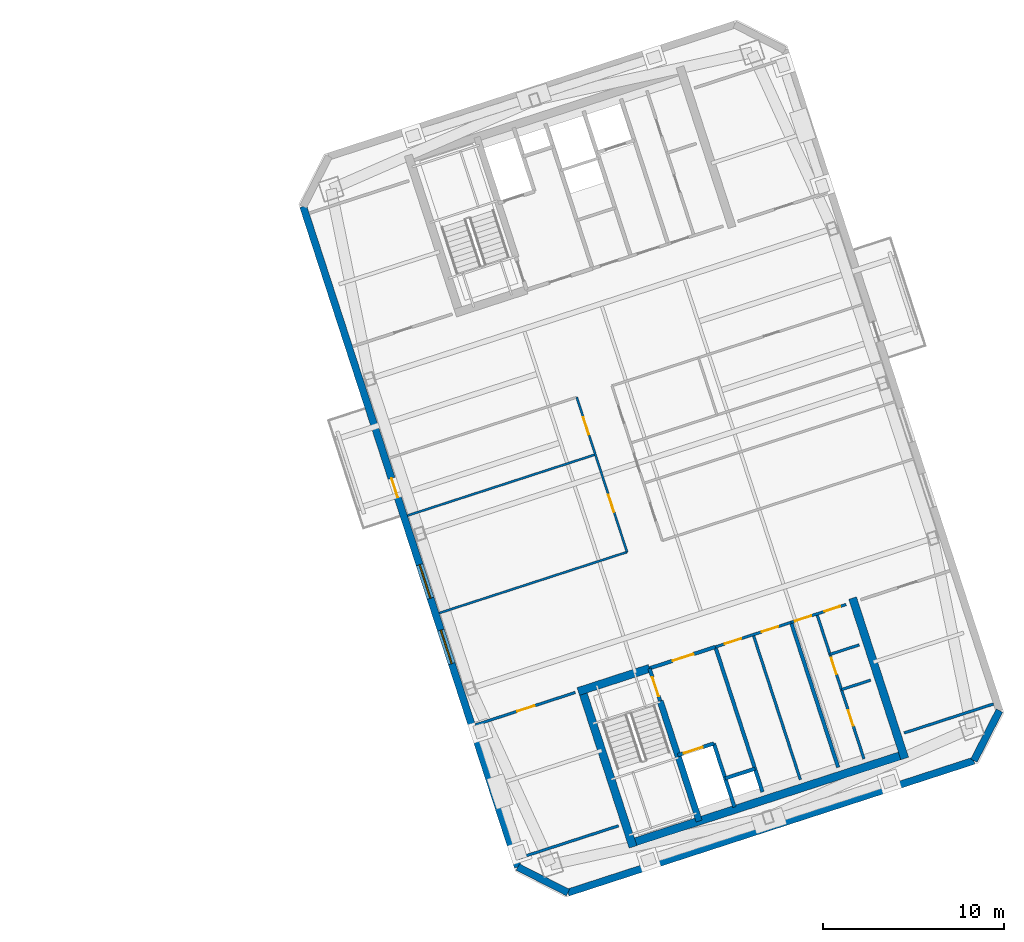
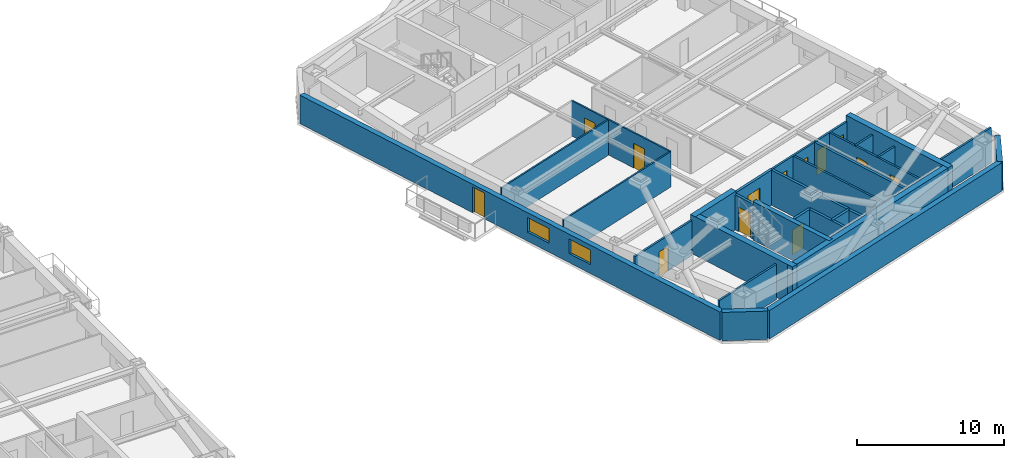
# One storey, part 9 of 16: 28 walls, 13 doors, 2 windows, 15 openings.
"""IFC4 building model written with IfcOpenShell, lengths in metres."""

from ifc_helpers import new_model, si_unit, direction, frame, frame_2d, origin, place, context, subcontext, project, spatial, rectangle, extrude, material, layer, layer_set, type_object, element, fill, save


model = new_model("IFC4")

# Units and contexts
model_context = context("Model", 3, precision=1e-05, world=origin(), true_north=direction((0.0, 1.0)))
body_context = subcontext(model_context, "Body", "Model", "MODEL_VIEW")
ifc_project = project(units=[si_unit("LENGTHUNIT", "METRE"), si_unit("AREAUNIT", "SQUARE_METRE"), si_unit("VOLUMEUNIT", "CUBIC_METRE"), si_unit("PLANEANGLEUNIT", "RADIAN"), si_unit("MASSUNIT", "GRAM", prefix="KILO")], contexts=[model_context])

# Site, building, storey
site_placement = place(None, origin())
site = spatial("IfcSite", under=ifc_project, at=site_placement, CompositionType="ELEMENT")
building_placement = place(site_placement, origin())
building = spatial("IfcBuilding", under=site, at=building_placement, Name="Qiaolan Cultural Towers", CompositionType="ELEMENT")
storey_placement = place(building_placement, frame((0.0, 0.0, 240.800048828125)))
storey = spatial("IfcBuildingStorey", under=building, at=storey_placement, Name="L65", CompositionType="ELEMENT", Elevation=240.800048828125)

# Walls
ifc_material_1 = material(Name="Concrete C50", Category="concrete")
ifc_layer_1 = layer(ifc_material_1, 0.35009765625)
ifc_layer_set_1 = layer_set([ifc_layer_1], Name="Concrete C50")
wall_type_1 = type_object("IfcWallType", Name="WL-CORE-350", PredefinedType="SHEAR", material=ifc_layer_set_1)
wall_1_placement = place(storey_placement, frame((90.486328125, 20.59423828125, 0.0), z_axis=(0.0, 0.0, 1.0), x_axis=(0.309020428229, -0.951055400562, 0.0)))
element("IfcWall", 1, at=wall_1_placement, inside=storey, type_object=wall_type_1, Name="L65 T2-CS Stair Core Dividing Web", PredefinedType="SHEAR", context=body_context, shape_type="SweptSolid", body=[
    extrude(rectangle(XDim=6.97998046875, YDim=0.35009765625, at=frame_2d((3.489990234375, 0.0))), origin(), (0.0, 0.0, 1.0), 3.199951171875),
])
ifc_material_2 = material(Name="Concrete C50", Category="concrete")
ifc_layer_2 = layer(ifc_material_2, 0.449951171875)
ifc_layer_set_2 = layer_set([ifc_layer_2], Name="Concrete C50")
wall_type_2 = type_object("IfcWallType", Name="WL-CORE-450", PredefinedType="SHEAR", material=ifc_layer_set_2)
wall_2_placement = place(storey_placement, frame((88.701171875, 12.675048828125, 0.0), z_axis=(0.0, 0.0, 1.0), x_axis=(0.95105824505, 0.309011673763, 0.0)))
element("IfcWall", 2, at=wall_2_placement, inside=storey, type_object=wall_type_2, Name="L65 T2-CS Outer Core Shear Wall", PredefinedType="SHEAR", context=body_context, shape_type="SweptSolid", body=[
    extrude(rectangle(XDim=16.250244140625, YDim=0.449951171875, at=frame_2d((8.125, 0.0))), origin(), (0.0, 0.0, 1.0), 3.199951171875),
])
for number, where, z_axis, x_axis, name in (
    (3, (86.1015625, 21.40380859375, 0.0), (0.0, 0.0, 1.0), (0.309035778627, -0.951050412717, 0.0), "L65 T2-CS West Core Shear Wall"),
    (4, (101.12841796875, 26.286376953125, 0.0), (0.0, 0.0, 1.0), (0.309004419953, -0.951060601881, 0.0), "L65 T2-CS East Core Shear Wall"),
):
    element("IfcWall", number, at=place(storey_placement, frame(where, z_axis=z_axis, x_axis=x_axis)), inside=storey, type_object=wall_type_2, Name=name, PredefinedType="SHEAR", context=body_context, shape_type="SweptSolid", body=[
        extrude(rectangle(XDim=9.330078125, YDim=0.449951171875, at=frame_2d((4.6650390625, 0.0))), origin(), (0.0, 0.0, 1.0), 3.199951171875),
    ])
wall_3_placement = place(storey_placement, frame((85.957275390625, 21.120361328125, 0.0), z_axis=(0.0, 0.0, 1.0), x_axis=(0.951064796122, 0.308991510526, 0.0)))
element("IfcWall", 5, at=wall_3_placement, inside=storey, type_object=wall_type_2, Name="L65 T2-CS Stair Front Shear Wall", PredefinedType="SHEAR", context=body_context, shape_type="SweptSolid", body=[
    extrude(rectangle(XDim=4.14501953125, YDim=0.449951171875, at=frame_2d((2.072509765625, 0.0))), origin(), (0.0, 0.0, 1.0), 3.199951171875),
])

# Wall, openings, door, windows
ifc_material_3 = material(Name="Precast Concrete C50 Honed Stone Pier", Category="masonry")
ifc_layer_3 = layer(ifc_material_3, 0.39990234375)
ifc_layer_set_3 = layer_set([ifc_layer_3], Name="Precast Concrete C50 Honed Stone Pier")
wall_type_3 = type_object("IfcWallType", Name="WL-EXT-PIER-400", PredefinedType="SOLIDWALL", material=ifc_layer_set_3)
wall_4_placement = place(storey_placement, frame((82.618408203125, 11.41357421875, 0.0), z_axis=(0.0, 0.0, 1.0), x_axis=(-0.309016491071, 0.951056679828, 0.0)))
wall_4 = element("IfcWall", 6, at=wall_4_placement, inside=storey, type_object=wall_type_3, Name="L65 East Tower Precast Pier Facade Wall F1", PredefinedType="SOLIDWALL", context=body_context, shape_type="SweptSolid", body=[
    extrude(rectangle(XDim=38.39990234375, YDim=0.39990234375, at=frame_2d((19.199951171875, 0.0))), origin(), (0.0, 0.0, 1.0), 2.35986328125),
])
opening_1_placement = place(wall_4_placement, frame((11.824951171875, 0.0, 0.75)))
opening_1 = element("IfcOpeningElement", 7, at=opening_1_placement, cuts=wall_4, Name="Opening W-06", PredefinedType="OPENING", context=body_context, shape_type="SweptSolid", body=[
    extrude(rectangle(XDim=1.949951171875, YDim=1.2099609375, at=frame_2d((0.97509765625, 0.60498046875))), frame((0.0, 0.2099609375, 0.0), z_axis=(0.0, -1.0, 0.0), x_axis=(1.0, 0.0, 0.0)), (0.0, 0.0, 1.0), 0.419921875),
])
opening_2_placement = place(wall_4_placement, frame((15.625, 0.0, 0.75)))
opening_2 = element("IfcOpeningElement", 8, at=opening_2_placement, cuts=wall_4, Name="Opening W-06", PredefinedType="OPENING", context=body_context, shape_type="SweptSolid", body=[
    extrude(rectangle(XDim=1.949951171875, YDim=1.2099609375, at=frame_2d((0.97509765625, 0.60498046875))), frame((0.0, 0.2099609375, 0.0), z_axis=(0.0, -1.0, 0.0), x_axis=(1.0, 0.0, 0.0)), (0.0, 0.0, 1.0), 0.419921875),
])
opening_3_placement = place(wall_4_placement, frame((21.5, 0.0, 0.0)))
opening_3 = element("IfcOpeningElement", 9, at=opening_3_placement, cuts=wall_4, Name="Opening BD-01", PredefinedType="OPENING", context=body_context, shape_type="SweptSolid", body=[
    extrude(rectangle(XDim=1.10009765625, YDim=2.14990234375, at=frame_2d((0.550048828125, 1.074951171875))), frame((0.0, 0.2099609375, 0.0), z_axis=(0.0, -1.0, 0.0), x_axis=(1.0, 0.0, 0.0)), (0.0, 0.0, 1.0), 0.419921875),
])
ifc_material_4 = material(Name="Thermally Broken Aluminium Glazed Terrace Door", Category="aluminium")
door_type_1 = type_object("IfcDoorType", Name="DR-BAL-1100", OperationType="NOTDEFINED", PredefinedType="DOOR", material=ifc_material_4)
door_1_placement = place(opening_3_placement, origin())
door_1 = element("IfcDoor", 10, at=door_1_placement, inside=storey, type_object=door_type_1, Name="L65 T2 West Tree Balcony Door", OperationType="SINGLE_SWING_LEFT", OverallHeight=2.14990234375, OverallWidth=1.10009765625, PredefinedType="DOOR", context=body_context, shape_type="SweptSolid", body=[
    extrude(rectangle(XDim=1.10009765625, YDim=2.14990234375, at=frame_2d((0.550048828125, 1.074951171875))), frame((0.0, 0.02490234375, 0.0), z_axis=(0.0, -1.0, 0.0), x_axis=(1.0, 0.0, 0.0)), (0.0, 0.0, 1.0), 0.050048828125),
])
fill(opening_3, door_1)
ifc_material_5 = material(Name="Thermally Broken Aluminium Triple Low-E Glazing", Category="aluminium")
window_type = type_object("IfcWindowType", Name="WN-CHIC-1950", PartitioningType="SINGLE_PANEL", PredefinedType="WINDOW", material=ifc_material_5)
window_1_placement = place(opening_1_placement, origin())
window_1 = element("IfcWindow", 11, at=window_1_placement, inside=storey, type_object=window_type, Name="L65 T2 W Chicago Bay Window 1", OverallHeight=1.2099609375, OverallWidth=1.949951171875, PartitioningType="TRIPLE_PANEL_VERTICAL", PredefinedType="WINDOW", context=body_context, shape_type="SweptSolid", body=[
    extrude(rectangle(XDim=1.949951171875, YDim=1.2099609375, at=frame_2d((0.97509765625, 0.60498046875))), frame((0.0, 0.030029296875, 0.0), z_axis=(0.0, -1.0, 0.0), x_axis=(1.0, 0.0, 0.0)), (0.0, 0.0, 1.0), 0.06005859375),
])
fill(opening_1, window_1)
window_2_placement = place(opening_2_placement, origin())
window_2 = element("IfcWindow", 12, at=window_2_placement, inside=storey, type_object=window_type, Name="L65 T2 W Chicago Bay Window 2", OverallHeight=1.2099609375, OverallWidth=1.949951171875, PartitioningType="TRIPLE_PANEL_VERTICAL", PredefinedType="WINDOW", context=body_context, shape_type="SweptSolid", body=[
    extrude(rectangle(XDim=1.949951171875, YDim=1.2099609375, at=frame_2d((0.97509765625, 0.60498046875))), frame((0.0, 0.030029296875, 0.0), z_axis=(0.0, -1.0, 0.0), x_axis=(1.0, 0.0, 0.0)), (0.0, 0.0, 1.0), 0.06005859375),
])
fill(opening_2, window_2)

# Walls
wall_5_placement = place(storey_placement, frame((109.247802734375, 20.06591796875, 0.0), z_axis=(0.0, 0.0, 1.0), x_axis=(-0.453949291228, -0.891027519774, 0.0)))
element("IfcWall", 13, at=wall_5_placement, inside=storey, type_object=wall_type_3, Name="L65 East Tower Precast Pier Facade Wall F6", PredefinedType="SOLIDWALL", context=body_context, shape_type="SweptSolid", body=[
    extrude(rectangle(XDim=3.111328125, YDim=0.39990234375, at=frame_2d((1.5556640625, 0.0))), origin(), (0.0, 0.0, 1.0), 2.35986328125),
])
wall_6_placement = place(storey_placement, frame((107.83544921875, 17.293701171875, 0.0), z_axis=(0.0, 0.0, 1.0), x_axis=(-0.951058012937, -0.309012388148, 0.0)))
element("IfcWall", 14, at=wall_6_placement, inside=storey, type_object=wall_type_3, Name="L65 East Tower Precast Pier Facade Wall F7", PredefinedType="SOLIDWALL", context=body_context, shape_type="SweptSolid", body=[
    extrude(rectangle(XDim=23.60009765625, YDim=0.39990234375, at=frame_2d((11.800048828125, 0.0))), origin(), (0.0, 0.0, 1.0), 2.35986328125),
])
wall_7_placement = place(storey_placement, frame((85.390380859375, 10.0009765625, 0.0), z_axis=(0.0, 0.0, 1.0), x_axis=(-0.890979603174, 0.454043331334, 0.0)))
element("IfcWall", 15, at=wall_7_placement, inside=storey, type_object=wall_type_3, Name="L65 East Tower Precast Pier Facade Wall F8", PredefinedType="SOLIDWALL", context=body_context, shape_type="SweptSolid", body=[
    extrude(rectangle(XDim=3.111083984375, YDim=0.39990234375, at=frame_2d((1.5556640625, 0.0))), origin(), (0.0, 0.0, 1.0), 2.35986328125),
])

# Wall, opening, door
ifc_material_6 = material(Name="Concrete C35 Fire Wall", Category="concrete")
ifc_layer_4 = layer(ifc_material_6, 0.199951171875)
ifc_layer_set_4 = layer_set([ifc_layer_4], Name="Concrete C35 Fire Wall")
wall_type_4 = type_object("IfcWallType", Name="WL-FIRE-200", PredefinedType="PARTITIONING", material=ifc_layer_set_4)
wall_8_placement = place(storey_placement, frame((89.8994140625, 22.401123046875, 0.0), z_axis=(0.0, 0.0, 1.0), x_axis=(0.308932062672, -0.951084108086, 0.0)))
wall_8 = element("IfcWall", 16, at=wall_8_placement, inside=storey, type_object=wall_type_4, Name="L65 T2-CS Smokeproof Stair Entry Wall", PredefinedType="PARTITIONING", context=body_context, shape_type="SweptSolid", body=[
    extrude(rectangle(XDim=1.89990234375, YDim=0.199951171875, at=frame_2d((0.949951171875, 0.0))), origin(), (0.0, 0.0, 1.0), 2.925048828125),
])
opening_4_placement = place(wall_8_placement, frame((0.52001953125, 0.0, 0.0)))
opening_4 = element("IfcOpeningElement", 17, at=opening_4_placement, cuts=wall_8, Name="Opening FD-04", PredefinedType="OPENING", context=body_context, shape_type="SweptSolid", body=[
    extrude(rectangle(XDim=1.10009765625, YDim=2.050048828125, at=frame_2d((0.550048828125, 1.02490234375))), frame((0.0, 0.10986328125, 0.0), z_axis=(0.0, -1.0, 0.0), x_axis=(1.0, 0.0, 0.0)), (0.0, 0.0, 1.0), 0.219970703125),
])
ifc_material_7 = material(Name="Galvanized Steel Command Fire Door", Category="steel")
door_type_2 = type_object("IfcDoorType", Name="DR-FD90-1100", OperationType="NOTDEFINED", PredefinedType="DOOR", material=ifc_material_7)
door_2_placement = place(opening_4_placement, origin())
door_2 = element("IfcDoor", 18, at=door_2_placement, inside=storey, type_object=door_type_2, Name="L65 ST-E1 Smokeproof Stair Fire Door", OperationType="SINGLE_SWING_LEFT", OverallHeight=2.050048828125, OverallWidth=1.10009765625, PredefinedType="DOOR", context=body_context, shape_type="SweptSolid", body=[
    extrude(rectangle(XDim=1.10009765625, YDim=2.050048828125, at=frame_2d((0.550048828125, 1.02490234375))), frame((0.0, 0.02490234375, 0.0), z_axis=(0.0, -1.0, 0.0), x_axis=(1.0, 0.0, 0.0)), (0.0, 0.0, 1.0), 0.050048828125),
])
fill(opening_4, door_2)

# Wall
wall_9_placement = place(storey_placement, frame((93.541748046875, 23.584716796875, 0.0), z_axis=(0.0, 0.0, 1.0), x_axis=(0.309042196757, -0.951048327176, 0.0)))
element("IfcWall", 19, at=wall_9_placement, inside=storey, type_object=wall_type_4, Name="L65 T2-CS Firefighting Zone Wall", PredefinedType="PARTITIONING", context=body_context, shape_type="SweptSolid", body=[
    extrude(rectangle(XDim=8.429931640625, YDim=0.199951171875, at=frame_2d((4.21484375, 0.0))), origin(), (0.0, 0.0, 1.0), 2.925048828125),
])

# Wall, opening, door
wall_10_placement = place(storey_placement, frame((89.8994140625, 22.401123046875, 0.0), z_axis=(0.0, 0.0, 1.0), x_axis=(0.951046716504, 0.309047153403, 0.0)))
wall_10 = element("IfcWall", 20, at=wall_10_placement, inside=storey, type_object=wall_type_4, Name="L65 T2-CS Firefighting Lobby Front Wall", PredefinedType="PARTITIONING", context=body_context, shape_type="SweptSolid", body=[
    extrude(rectangle(XDim=3.829833984375, YDim=0.199951171875, at=frame_2d((1.9150390625, 0.0))), origin(), (0.0, 0.0, 1.0), 2.925048828125),
])
opening_5_placement = place(wall_10_placement, frame((1.35009765625, 0.0, 0.0)))
opening_5 = element("IfcOpeningElement", 21, at=opening_5_placement, cuts=wall_10, Name="Opening FD-03", PredefinedType="OPENING", context=body_context, shape_type="SweptSolid", body=[
    extrude(rectangle(XDim=1.199951171875, YDim=2.050048828125, at=frame_2d((0.60009765625, 1.02490234375))), frame((0.0, 0.10986328125, 0.0), z_axis=(0.0, -1.0, 0.0), x_axis=(1.0, 0.0, 0.0)), (0.0, 0.0, 1.0), 0.219970703125),
])
ifc_material_8 = material(Name="Galvanized Steel Smokeproof Lobby Fire Door", Category="steel")
door_type_3 = type_object("IfcDoorType", Name="DR-FD90-1200", OperationType="NOTDEFINED", PredefinedType="DOOR", material=ifc_material_8)
door_3_placement = place(opening_5_placement, origin())
door_3 = element("IfcDoor", 22, at=door_3_placement, inside=storey, type_object=door_type_3, Name="L65 FFL-E1 Firefighting Lobby Fire Door", OperationType="SINGLE_SWING_LEFT", OverallHeight=2.050048828125, OverallWidth=1.199951171875, PredefinedType="DOOR", context=body_context, shape_type="SweptSolid", body=[
    extrude(rectangle(XDim=1.199951171875, YDim=2.050048828125, at=frame_2d((0.60009765625, 1.02490234375))), frame((0.0, 0.02490234375, 0.0), z_axis=(0.0, -1.0, 0.0), x_axis=(1.0, 0.0, 0.0)), (0.0, 0.0, 1.0), 0.050048828125),
])
fill(opening_5, door_3)

wall_11_placement = place(storey_placement, frame((91.459716796875, 17.598388671875, 0.0), z_axis=(0.0, 0.0, 1.0), x_axis=(0.951062257173, 0.308999325213, 0.0)))
wall_11 = element("IfcWall", 23, at=wall_11_placement, inside=storey, type_object=wall_type_4, Name="L65 T2-CS Firefighting Shaft Front Wall", PredefinedType="PARTITIONING", context=body_context, shape_type="SweptSolid", body=[
    extrude(rectangle(XDim=2.10009765625, YDim=0.199951171875, at=frame_2d((1.050048828125, 0.0))), origin(), (0.0, 0.0, 1.0), 2.925048828125),
])
opening_6_placement = place(wall_11_placement, frame((0.35009765625, 0.0, 0.0)))
opening_6 = element("IfcOpeningElement", 24, at=opening_6_placement, cuts=wall_11, Name="Opening LD-01", PredefinedType="OPENING", context=body_context, shape_type="SweptSolid", body=[
    extrude(rectangle(XDim=1.10009765625, YDim=2.050048828125, at=frame_2d((0.550048828125, 1.02490234375))), frame((0.0, 0.10986328125, 0.0), z_axis=(0.0, -1.0, 0.0), x_axis=(1.0, 0.0, 0.0)), (0.0, 0.0, 1.0), 0.219970703125),
])
ifc_material_9 = material(Name="Brushed Stainless Steel S30408 Centre-Parting Lift Landing Door", Category="steel")
door_type_4 = type_object("IfcDoorType", Name="DR-LIFT-1100", OperationType="NOTDEFINED", PredefinedType="DOOR", material=ifc_material_9)
door_4_placement = place(opening_6_placement, origin())
door_4 = element("IfcDoor", 25, at=door_4_placement, inside=storey, type_object=door_type_4, Name="L65 FFL-E1 Firefighting Lift Landing Door", OperationType="DOUBLE_DOOR_SLIDING", OverallHeight=2.050048828125, OverallWidth=1.10009765625, PredefinedType="DOOR", context=body_context, shape_type="SweptSolid", body=[
    extrude(rectangle(XDim=1.10009765625, YDim=2.050048828125, at=frame_2d((0.550048828125, 1.02490234375))), frame((0.0, 0.02490234375, 0.0), z_axis=(0.0, -1.0, 0.0), x_axis=(1.0, 0.0, 0.0)), (0.0, 0.0, 1.0), 0.050048828125),
])
fill(opening_6, door_4)

# Walls
wall_12_placement = place(storey_placement, frame((93.45703125, 18.247314453125, 0.0), z_axis=(0.0, 0.0, 1.0), x_axis=(0.3089935693, -0.951064127245, 0.0)))
element("IfcWall", 26, at=wall_12_placement, inside=storey, type_object=wall_type_4, Name="L65 T2-CS Firefighting Hoistway East Wall", PredefinedType="PARTITIONING", context=body_context, shape_type="SweptSolid", body=[
    extrude(rectangle(XDim=3.7001953125, YDim=0.199951171875, at=frame_2d((1.85009765625, 0.0))), origin(), (0.0, 0.0, 1.0), 2.925048828125),
])
wall_13_placement = place(storey_placement, frame((94.08447265625, 16.316650390625, 0.0), z_axis=(0.0, 0.0, 1.0), x_axis=(0.951041328149, 0.309063734775, 0.0)))
element("IfcWall", 27, at=wall_13_placement, inside=storey, type_object=wall_type_4, Name="L65 T2-CS Pressurization Shaft Front Wall", PredefinedType="PARTITIONING", context=body_context, shape_type="SweptSolid", body=[
    extrude(rectangle(XDim=1.72998046875, YDim=0.199951171875, at=frame_2d((0.864990234375, 0.0))), origin(), (0.0, 0.0, 1.0), 2.925048828125),
])
wall_14_placement = place(storey_placement, frame((97.7265625, 24.9443359375, 0.0), z_axis=(0.0, 0.0, 1.0), x_axis=(0.309016001439, -0.951056838919, 0.0)))
element("IfcWall", 28, at=wall_14_placement, inside=storey, type_object=wall_type_4, Name="L65 T2-CS Lift Core East Wall", PredefinedType="PARTITIONING", context=body_context, shape_type="SweptSolid", body=[
    extrude(rectangle(XDim=8.429931640625, YDim=0.199951171875, at=frame_2d((4.21484375, 0.0))), origin(), (0.0, 0.0, 1.0), 2.925048828125),
])
ifc_material_10 = material(Name="Gypsum Stud Acoustic Partition", Category="gypsum")
ifc_layer_5 = layer(ifc_material_10, 0.1201171875)
ifc_layer_set_5 = layer_set([ifc_layer_5], Name="Gypsum Stud Acoustic Partition")
wall_type_5 = type_object("IfcWallType", Name="WL-PART-120", PredefinedType="PARTITIONING", material=ifc_layer_set_5)
wall_15_placement = place(storey_placement, frame((78.26611328125, 25.455810546875, 0.0), z_axis=(0.0, 0.0, 1.0), x_axis=(0.951056072529, 0.309018360142, 0.0)))
element("IfcWall", 29, at=wall_15_placement, inside=storey, type_object=wall_type_5, Name="L65 T2 South Foyer West Wall", PredefinedType="PARTITIONING", context=body_context, shape_type="SweptSolid", body=[
    extrude(rectangle(XDim=10.9248046875, YDim=0.1201171875, at=frame_2d((5.46240234375, 0.0))), origin(), (0.0, 0.0, 1.0), 2.925048828125),
])

# Wall, openings, doors
wall_16_placement = place(storey_placement, frame((88.65625, 28.831787109375, 0.0), z_axis=(0.0, 0.0, 1.0), x_axis=(-0.309000197986, 0.951061973609, 0.0)))
wall_16 = element("IfcWall", 30, at=wall_16_placement, inside=storey, type_object=wall_type_5, Name="L65 T2 Central Spine West Wall", PredefinedType="PARTITIONING", context=body_context, shape_type="SweptSolid", body=[
    extrude(rectangle(XDim=9.0, YDim=0.1201171875, at=frame_2d((4.5, 0.0))), origin(), (0.0, 0.0, 1.0), 2.925048828125),
])
opening_7_placement = place(wall_16_placement, frame((2.3349609375, 0.0, 0.0)))
opening_7 = element("IfcOpeningElement", 31, at=opening_7_placement, cuts=wall_16, Name="Opening ID-04", PredefinedType="OPENING", context=body_context, shape_type="SweptSolid", body=[
    extrude(rectangle(XDim=1.0, YDim=2.050048828125, at=frame_2d((0.5, 1.02490234375))), frame((0.0, 0.070068359375, 0.0), z_axis=(0.0, -1.0, 0.0), x_axis=(1.0, 0.0, 0.0)), (0.0, 0.0, 1.0), 0.14013671875),
])
opening_8_placement = place(wall_16_placement, frame((6.8349609375, 0.0, 0.0)))
opening_8 = element("IfcOpeningElement", 32, at=opening_8_placement, cuts=wall_16, Name="Opening ID-04", PredefinedType="OPENING", context=body_context, shape_type="SweptSolid", body=[
    extrude(rectangle(XDim=1.0, YDim=2.050048828125, at=frame_2d((0.5, 1.02490234375))), frame((0.0, 0.070068359375, 0.0), z_axis=(0.0, -1.0, 0.0), x_axis=(1.0, 0.0, 0.0)), (0.0, 0.0, 1.0), 0.14013671875),
])
ifc_material_11 = material(Name="Oak Veneer Acoustic Office Door", Category="timber")
door_type_5 = type_object("IfcDoorType", Name="DR-INT-1000", OperationType="NOTDEFINED", PredefinedType="DOOR", material=ifc_material_11)
door_5_placement = place(opening_7_placement, origin())
door_5 = element("IfcDoor", 33, at=door_5_placement, inside=storey, type_object=door_type_5, Name="L65 T2 Presidential Conference Room Door", OperationType="SINGLE_SWING_LEFT", OverallHeight=2.050048828125, OverallWidth=1.0, PredefinedType="DOOR", context=body_context, shape_type="SweptSolid", body=[
    extrude(rectangle(XDim=1.0, YDim=2.050048828125, at=frame_2d((0.5, 1.02490234375))), frame((0.0, 0.02490234375, 0.0), z_axis=(0.0, -1.0, 0.0), x_axis=(1.0, 0.0, 0.0)), (0.0, 0.0, 1.0), 0.050048828125),
])
fill(opening_7, door_5)
door_6_placement = place(opening_8_placement, origin())
door_6 = element("IfcDoor", 34, at=door_6_placement, inside=storey, type_object=door_type_5, Name="L65 T2 Diplomatic Lounge Door", OperationType="SINGLE_SWING_RIGHT", OverallHeight=2.050048828125, OverallWidth=1.0, PredefinedType="DOOR", context=body_context, shape_type="SweptSolid", body=[
    extrude(rectangle(XDim=1.0, YDim=2.050048828125, at=frame_2d((0.5, 1.02490234375))), frame((0.0, 0.02490234375, 0.0), z_axis=(0.0, -1.0, 0.0), x_axis=(1.0, 0.0, 0.0)), (0.0, 0.0, 1.0), 0.050048828125),
])
fill(opening_8, door_6)

# Wall
wall_17_placement = place(storey_placement, frame((76.513916015625, 30.848388671875, 0.0), z_axis=(0.0, 0.0, 1.0), x_axis=(0.951056072529, 0.309018360142, 0.0)))
element("IfcWall", 35, at=wall_17_placement, inside=storey, type_object=wall_type_5, Name="L65 T2 Interior Wall", PredefinedType="PARTITIONING", context=body_context, shape_type="SweptSolid", body=[
    extrude(rectangle(XDim=10.9248046875, YDim=0.1201171875, at=frame_2d((5.46240234375, 0.0))), origin(), (0.0, 0.0, 1.0), 2.925048828125),
])

# Wall, openings, doors
ifc_material_12 = material(Name="Autoclaved Aerated Concrete Block B06", Category="concrete")
ifc_layer_6 = layer(ifc_material_12, 0.14990234375)
ifc_layer_set_6 = layer_set([ifc_layer_6], Name="Autoclaved Aerated Concrete Block B06")
wall_type_6 = type_object("IfcWallType", Name="WL-PART-150", PredefinedType="PARTITIONING", material=ifc_layer_set_6)
wall_18_placement = place(storey_placement, frame((93.541748046875, 23.584716796875, 0.0), z_axis=(0.0, 0.0, 1.0), x_axis=(0.951063829732, 0.308994485023, 0.0)))
wall_18 = element("IfcWall", 36, at=wall_18_placement, inside=storey, type_object=wall_type_6, Name="L65 T2-CS Reclaimed Core Room Front Wall", PredefinedType="PARTITIONING", context=body_context, shape_type="SweptSolid", body=[
    extrude(rectangle(XDim=4.400146484375, YDim=0.14990234375, at=frame_2d((2.2001953125, 0.0))), origin(), (0.0, 0.0, 1.0), 2.925048828125),
])
opening_9_placement = place(wall_18_placement, frame((0.550048828125, 0.0, 0.0)))
opening_9 = element("IfcOpeningElement", 37, at=opening_9_placement, cuts=wall_18, Name="Opening ID-05", PredefinedType="OPENING", context=body_context, shape_type="SweptSolid", body=[
    extrude(rectangle(XDim=0.949951171875, YDim=2.050048828125, at=frame_2d((0.47509765625, 1.02490234375))), frame((0.0, 0.0849609375, 0.0), z_axis=(0.0, -1.0, 0.0), x_axis=(1.0, 0.0, 0.0)), (0.0, 0.0, 1.0), 0.169921875),
])
opening_10_placement = place(wall_18_placement, frame((2.699951171875, 0.0, 0.0)))
opening_10 = element("IfcOpeningElement", 38, at=opening_10_placement, cuts=wall_18, Name="Opening ID-05", PredefinedType="OPENING", context=body_context, shape_type="SweptSolid", body=[
    extrude(rectangle(XDim=0.949951171875, YDim=2.050048828125, at=frame_2d((0.47509765625, 1.02490234375))), frame((0.0, 0.0849609375, 0.0), z_axis=(0.0, -1.0, 0.0), x_axis=(1.0, 0.0, 0.0)), (0.0, 0.0, 1.0), 0.169921875),
])
ifc_material_13 = material(Name="Fire-Rated Laminate Accessible Core Door", Category="timber")
door_type_6 = type_object("IfcDoorType", Name="DR-INT-950", OperationType="NOTDEFINED", PredefinedType="DOOR", material=ifc_material_13)
door_7_placement = place(opening_9_placement, origin())
door_7 = element("IfcDoor", 39, at=door_7_placement, inside=storey, type_object=door_type_6, Name="L65 Copy Print Room Door", OperationType="SINGLE_SWING_LEFT", OverallHeight=2.050048828125, OverallWidth=0.949951171875, PredefinedType="DOOR", context=body_context, shape_type="SweptSolid", body=[
    extrude(rectangle(XDim=0.949951171875, YDim=2.050048828125, at=frame_2d((0.47509765625, 1.02490234375))), frame((0.0, 0.02490234375, 0.0), z_axis=(0.0, -1.0, 0.0), x_axis=(1.0, 0.0, 0.0)), (0.0, 0.0, 1.0), 0.050048828125),
])
fill(opening_9, door_7)
door_8_placement = place(opening_10_placement, origin())
door_8 = element("IfcDoor", 40, at=door_8_placement, inside=storey, type_object=door_type_6, Name="L65 Tea Pantry Room Door", OperationType="SINGLE_SWING_RIGHT", OverallHeight=2.050048828125, OverallWidth=0.949951171875, PredefinedType="DOOR", context=body_context, shape_type="SweptSolid", body=[
    extrude(rectangle(XDim=0.949951171875, YDim=2.050048828125, at=frame_2d((0.47509765625, 1.02490234375))), frame((0.0, 0.02490234375, 0.0), z_axis=(0.0, -1.0, 0.0), x_axis=(1.0, 0.0, 0.0)), (0.0, 0.0, 1.0), 0.050048828125),
])
fill(opening_10, door_8)

# Wall
wall_19_placement = place(storey_placement, frame((95.63427734375, 24.2646484375, 0.0), z_axis=(0.0, 0.0, 1.0), x_axis=(0.309007490203, -0.951059604335, 0.0)))
element("IfcWall", 41, at=wall_19_placement, inside=storey, type_object=wall_type_6, Name="L65 T2-CS Reclaimed Twin Room Wall", PredefinedType="PARTITIONING", context=body_context, shape_type="SweptSolid", body=[
    extrude(rectangle(XDim=8.43017578125, YDim=0.14990234375, at=frame_2d((4.215087890625, 0.0))), origin(), (0.0, 0.0, 1.0), 2.925048828125),
])

# Wall, openings, doors
wall_20_placement = place(storey_placement, frame((97.7265625, 24.9443359375, 0.0), z_axis=(0.0, 0.0, 1.0), x_axis=(0.951036872128, 0.309077446369, 0.0)))
wall_20 = element("IfcWall", 42, at=wall_20_placement, inside=storey, type_object=wall_type_6, Name="L65 T2-CS Sanitary Core Front Wall", PredefinedType="PARTITIONING", context=body_context, shape_type="SweptSolid", body=[
    extrude(rectangle(XDim=3.199951171875, YDim=0.14990234375, at=frame_2d((1.60009765625, 0.0))), origin(), (0.0, 0.0, 1.0), 2.925048828125),
])
opening_11_placement = place(wall_20_placement, frame((0.219970703125, 0.0, 0.0)))
opening_11 = element("IfcOpeningElement", 43, at=opening_11_placement, cuts=wall_20, Name="Opening ID-05", PredefinedType="OPENING", context=body_context, shape_type="SweptSolid", body=[
    extrude(rectangle(XDim=0.949951171875, YDim=2.050048828125, at=frame_2d((0.47509765625, 1.02490234375))), frame((0.0, 0.0849609375, 0.0), z_axis=(0.0, -1.0, 0.0), x_axis=(1.0, 0.0, 0.0)), (0.0, 0.0, 1.0), 0.169921875),
])
opening_12_placement = place(wall_20_placement, frame((1.949951171875, 0.0, 0.0)))
opening_12 = element("IfcOpeningElement", 44, at=opening_12_placement, cuts=wall_20, Name="Opening ID-06", PredefinedType="OPENING", context=body_context, shape_type="SweptSolid", body=[
    extrude(rectangle(XDim=0.89990234375, YDim=2.050048828125, at=frame_2d((0.449951171875, 1.02490234375))), frame((0.0, 0.0849609375, 0.0), z_axis=(0.0, -1.0, 0.0), x_axis=(1.0, 0.0, 0.0)), (0.0, 0.0, 1.0), 0.169921875),
])
ifc_material_14 = material(Name="Fire-Rated Laminate Core Service Door", Category="timber")
door_type_7 = type_object("IfcDoorType", Name="DR-INT-900", OperationType="NOTDEFINED", PredefinedType="DOOR", material=ifc_material_14)
door_9_placement = place(opening_12_placement, origin())
door_9 = element("IfcDoor", 45, at=door_9_placement, inside=storey, type_object=door_type_7, Name="L65 Core Tea Pantry Door", OperationType="SINGLE_SWING_RIGHT", OverallHeight=2.050048828125, OverallWidth=0.89990234375, PredefinedType="DOOR", context=body_context, shape_type="SweptSolid", body=[
    extrude(rectangle(XDim=0.89990234375, YDim=2.050048828125, at=frame_2d((0.449951171875, 1.02490234375))), frame((0.0, 0.02490234375, 0.0), z_axis=(0.0, -1.0, 0.0), x_axis=(1.0, 0.0, 0.0)), (0.0, 0.0, 1.0), 0.050048828125),
])
fill(opening_12, door_9)
door_10_placement = place(opening_11_placement, origin())
door_10 = element("IfcDoor", 46, at=door_10_placement, inside=storey, type_object=door_type_6, Name="L65 Sanitary Passage Door", OperationType="SINGLE_SWING_LEFT", OverallHeight=2.050048828125, OverallWidth=0.949951171875, PredefinedType="DOOR", context=body_context, shape_type="SweptSolid", body=[
    extrude(rectangle(XDim=0.949951171875, YDim=2.050048828125, at=frame_2d((0.47509765625, 1.02490234375))), frame((0.0, 0.02490234375, 0.0), z_axis=(0.0, -1.0, 0.0), x_axis=(1.0, 0.0, 0.0)), (0.0, 0.0, 1.0), 0.050048828125),
])
fill(opening_11, door_10)

wall_21_placement = place(storey_placement, frame((99.153076171875, 25.407958984375, 0.0), z_axis=(0.0, 0.0, 1.0), x_axis=(0.309016001439, -0.951056838919, 0.0)))
wall_21 = element("IfcWall", 47, at=wall_21_placement, inside=storey, type_object=wall_type_6, Name="L65 T2-CS Sanitary Corridor Wall", PredefinedType="PARTITIONING", context=body_context, shape_type="SweptSolid", body=[
    extrude(rectangle(XDim=8.429931640625, YDim=0.14990234375, at=frame_2d((4.21484375, 0.0))), origin(), (0.0, 0.0, 1.0), 2.925048828125),
])
opening_13_placement = place(wall_21_placement, frame((2.550048828125, 0.0, 0.0)))
opening_13 = element("IfcOpeningElement", 48, at=opening_13_placement, cuts=wall_21, Name="Opening ID-05", PredefinedType="OPENING", context=body_context, shape_type="SweptSolid", body=[
    extrude(rectangle(XDim=0.949951171875, YDim=2.050048828125, at=frame_2d((0.47509765625, 1.02490234375))), frame((0.0, 0.0849609375, 0.0), z_axis=(0.0, -1.0, 0.0), x_axis=(1.0, 0.0, 0.0)), (0.0, 0.0, 1.0), 0.169921875),
])
opening_14_placement = place(wall_21_placement, frame((5.60009765625, 0.0, 0.0)))
opening_14 = element("IfcOpeningElement", 49, at=opening_14_placement, cuts=wall_21, Name="Opening ID-06", PredefinedType="OPENING", context=body_context, shape_type="SweptSolid", body=[
    extrude(rectangle(XDim=0.89990234375, YDim=2.050048828125, at=frame_2d((0.449951171875, 1.02490234375))), frame((0.0, 0.0849609375, 0.0), z_axis=(0.0, -1.0, 0.0), x_axis=(1.0, 0.0, 0.0)), (0.0, 0.0, 1.0), 0.169921875),
])
door_11_placement = place(opening_14_placement, origin())
door_11 = element("IfcDoor", 50, at=door_11_placement, inside=storey, type_object=door_type_7, Name="L65 Staff Restroom Door", OperationType="SINGLE_SWING_RIGHT", OverallHeight=2.050048828125, OverallWidth=0.89990234375, PredefinedType="DOOR", context=body_context, shape_type="SweptSolid", body=[
    extrude(rectangle(XDim=0.89990234375, YDim=2.050048828125, at=frame_2d((0.449951171875, 1.02490234375))), frame((0.0, 0.02490234375, 0.0), z_axis=(0.0, -1.0, 0.0), x_axis=(1.0, 0.0, 0.0)), (0.0, 0.0, 1.0), 0.050048828125),
])
fill(opening_14, door_11)
door_12_placement = place(opening_13_placement, origin())
door_12 = element("IfcDoor", 51, at=door_12_placement, inside=storey, type_object=door_type_6, Name="L65 Accessible Washroom Door", OperationType="SINGLE_SWING_LEFT", OverallHeight=2.050048828125, OverallWidth=0.949951171875, PredefinedType="DOOR", context=body_context, shape_type="SweptSolid", body=[
    extrude(rectangle(XDim=0.949951171875, YDim=2.050048828125, at=frame_2d((0.47509765625, 1.02490234375))), frame((0.0, 0.02490234375, 0.0), z_axis=(0.0, -1.0, 0.0), x_axis=(1.0, 0.0, 0.0)), (0.0, 0.0, 1.0), 0.050048828125),
])
fill(opening_13, door_12)

# Walls
for number, where, z_axis, x_axis, name in (
    (52, (100.5126953125, 21.223388671875, 0.0), (0.0, 0.0, 1.0), (0.951096313471, 0.308894484414, 0.0), "L65 T2-CS Restroom Split Wall"),
    (53, (99.879150390625, 23.1728515625, 0.0), (0.0, 0.0, 1.0), (0.951054116971, 0.309024378638, 0.0), "L65 T2-CS Core Pantry Wall"),
):
    element("IfcWall", number, at=place(storey_placement, frame(where, z_axis=z_axis, x_axis=x_axis)), inside=storey, type_object=wall_type_6, Name=name, PredefinedType="PARTITIONING", context=body_context, shape_type="SweptSolid", body=[
        extrude(rectangle(XDim=1.7001953125, YDim=0.14990234375, at=frame_2d((0.85009765625, 0.0))), origin(), (0.0, 0.0, 1.0), 2.925048828125),
    ])
wall_22_placement = place(storey_placement, frame((82.66943359375, 11.9033203125, 0.0), z_axis=(0.0, 0.0, 1.0), x_axis=(0.951059431056, 0.309008023519, 0.0)))
element("IfcWall", 54, at=wall_22_placement, inside=storey, type_object=wall_type_6, Name="L65 T2 Flank Wall FLK-SW", PredefinedType="PARTITIONING", context=body_context, shape_type="SweptSolid", body=[
    extrude(rectangle(XDim=5.800048828125, YDim=0.14990234375, at=frame_2d((2.89990234375, 0.0))), origin(), (0.0, 0.0, 1.0), 2.925048828125),
])

# Wall, opening, door
wall_23_placement = place(storey_placement, frame((80.274658203125, 19.27392578125, 0.0), z_axis=(0.0, 0.0, 1.0), x_axis=(0.951059431056, 0.309008023519, 0.0)))
wall_23 = element("IfcWall", 55, at=wall_23_placement, inside=storey, type_object=wall_type_6, Name="L65 T2 Flank Front FLK-SW", PredefinedType="PARTITIONING", context=body_context, shape_type="SweptSolid", body=[
    extrude(rectangle(XDim=5.800048828125, YDim=0.14990234375, at=frame_2d((2.89990234375, 0.0))), origin(), (0.0, 0.0, 1.0), 2.925048828125),
])
opening_15_placement = place(wall_23_placement, frame((2.43603515625, 0.0, 0.0)))
opening_15 = element("IfcOpeningElement", 56, at=opening_15_placement, cuts=wall_23, Name="Opening ID-04", PredefinedType="OPENING", context=body_context, shape_type="SweptSolid", body=[
    extrude(rectangle(XDim=1.0, YDim=2.050048828125, at=frame_2d((0.5, 1.02490234375))), frame((0.0, 0.0849609375, 0.0), z_axis=(0.0, -1.0, 0.0), x_axis=(1.0, 0.0, 0.0)), (0.0, 0.0, 1.0), 0.169921875),
])
door_13_placement = place(opening_15_placement, origin())
door_13 = element("IfcDoor", 57, at=door_13_placement, inside=storey, type_object=door_type_5, Name="L65 T2 Corner Studio Door", OperationType="SINGLE_SWING_LEFT", OverallHeight=2.050048828125, OverallWidth=1.0, PredefinedType="DOOR", context=body_context, shape_type="SweptSolid", body=[
    extrude(rectangle(XDim=1.0, YDim=2.050048828125, at=frame_2d((0.5, 1.02490234375))), frame((0.0, 0.02490234375, 0.0), z_axis=(0.0, -1.0, 0.0), x_axis=(1.0, 0.0, 0.0)), (0.0, 0.0, 1.0), 0.050048828125),
])
fill(opening_15, door_13)

# Wall
wall_24_placement = place(storey_placement, frame((103.97314453125, 18.8251953125, 0.0), z_axis=(0.0, 0.0, 1.0), x_axis=(0.951055112834, 0.309021313752, 0.0)))
element("IfcWall", 58, at=wall_24_placement, inside=storey, type_object=wall_type_6, Name="L65 T2 Flank Wall FLK-SE", PredefinedType="PARTITIONING", context=body_context, shape_type="SweptSolid", body=[
    extrude(rectangle(XDim=5.2001953125, YDim=0.14990234375, at=frame_2d((2.60009765625, 0.0))), origin(), (0.0, 0.0, 1.0), 2.925048828125),
])

save(model, "model.ifc")
